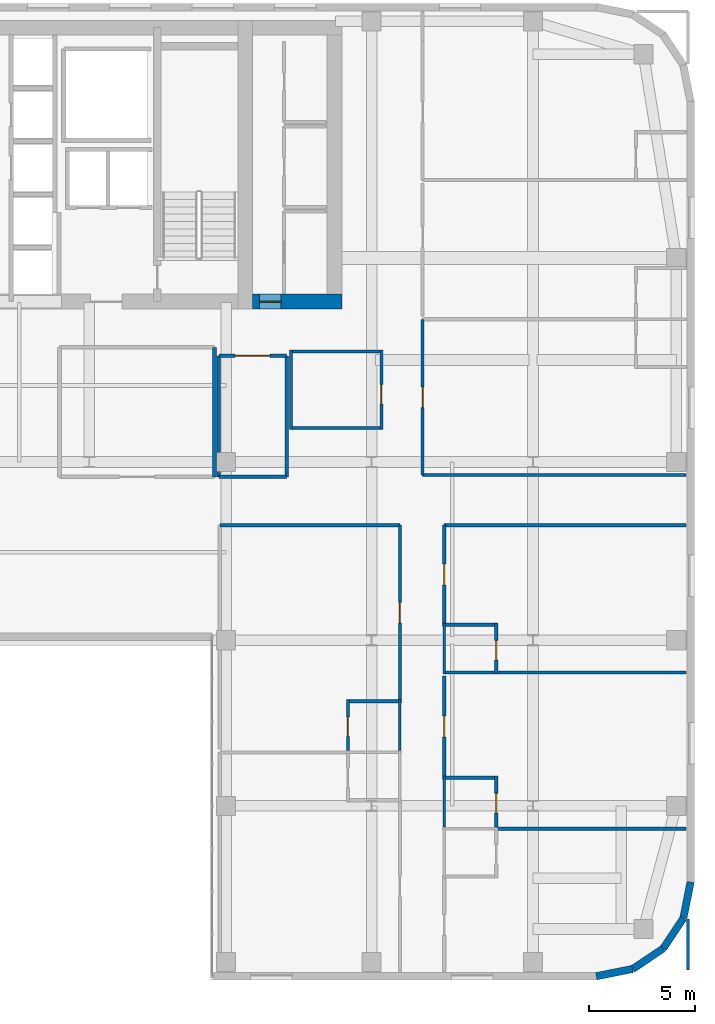
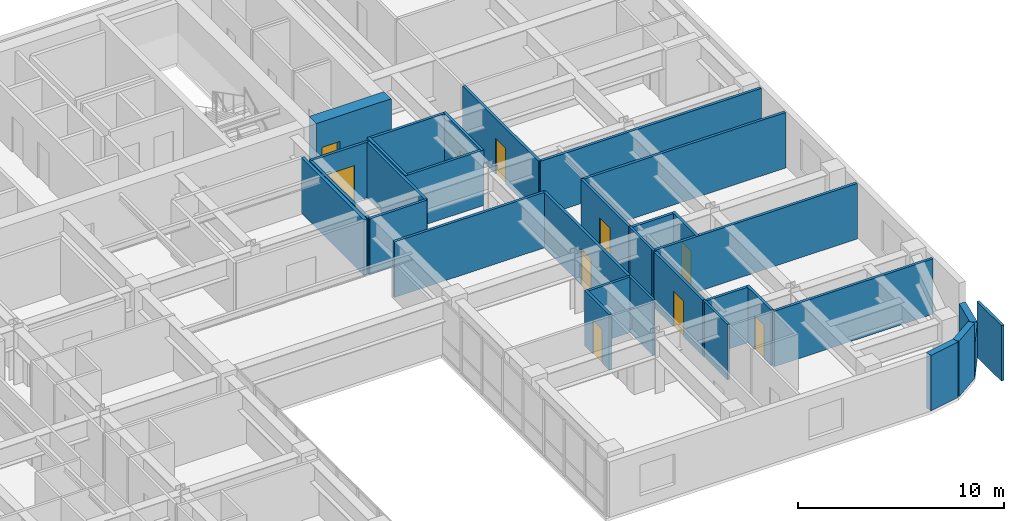
# One storey, part 11 of 15: 33 walls, 10 doors, 10 openings.
"""IFC4 building model written with IfcOpenShell, lengths in metres."""

from ifc_helpers import new_model, si_unit, direction, frame, frame_2d, origin, place, context, subcontext, project, spatial, rectangle, extrude, source, transform, mapped, material, layer, layer_set, type_object, type_shapes, element, fill, save


model = new_model("IFC4")

# Units and contexts
model_context = context("Model", 3, precision=1e-05, world=origin(), true_north=direction((0.0, 1.0)))
body_context = subcontext(model_context, "Body", "Model", "MODEL_VIEW")
ifc_project = project(units=[si_unit("LENGTHUNIT", "METRE"), si_unit("AREAUNIT", "SQUARE_METRE"), si_unit("VOLUMEUNIT", "CUBIC_METRE"), si_unit("PLANEANGLEUNIT", "RADIAN"), si_unit("MASSUNIT", "GRAM", prefix="KILO")], contexts=[model_context])

# Site, building, storey
site_placement = place(None, origin())
site = spatial("IfcSite", under=ifc_project, at=site_placement, CompositionType="ELEMENT")
building_placement = place(site_placement, origin())
building = spatial("IfcBuilding", under=site, at=building_placement, Name="Tolvann Quenvar Hotel", CompositionType="ELEMENT")
storey_placement = place(building_placement, frame((0.0, 0.0, 143.5)))
storey = spatial("IfcBuildingStorey", under=building, at=storey_placement, Name="L37", CompositionType="ELEMENT", Elevation=143.5)

# Wall, opening, door
ifc_material_1 = material(Name="Concrete S65 (65 MPa)", Category="concrete")
ifc_layer_1 = layer(ifc_material_1, 0.699951171875)
ifc_layer_set_1 = layer_set([ifc_layer_1], Name="Concrete S65 (65 MPa)")
wall_type_1 = type_object("IfcWallType", Name="WALL_CORE_700", PredefinedType="SHEAR", material=ifc_layer_set_1)
wall_1_placement = place(storey_placement, frame((36.199951171875, 31.949951171875, 0.0), z_axis=(0.0, 0.0, 1.0), x_axis=(1.0, 0.0, 0.0)))
wall_1 = element("IfcWall", 1, at=wall_1_placement, inside=storey, type_object=wall_type_1, Name="Core East Annex Shear Wall ANN-S (L37)", PredefinedType="SHEAR", context=body_context, shape_type="SweptSolid", body=[
    extrude(rectangle(XDim=4.199951171875, YDim=0.699951171875, at=frame_2d((2.10009765625, 0.0))), origin(), (0.0, 0.0, 1.0), 3.550048828125),
])
opening_1_placement = place(wall_1_placement, frame((1.340087890625, 0.0, 0.0), z_axis=(0.0, 0.0, 1.0), x_axis=(-1.0, 0.0, 0.0)))
opening_1 = element("IfcOpeningElement", 2, at=opening_1_placement, cuts=wall_1, Name="Opening HD-01", PredefinedType="OPENING", context=body_context, shape_type="SweptSolid", body=[
    extrude(rectangle(XDim=1.02001953125, YDim=2.030029296875, at=frame_2d((0.510009765625, 1.01513671875))), frame((0.0, 0.35986328125, 0.0), z_axis=(0.0, -1.0, 0.0), x_axis=(1.0, 0.0, 0.0)), (0.0, 0.0, 1.0), 0.719970703125),
])
ifc_material_2 = material(Name="Pressed galvanised steel fire-rated door set", Category="steel")
door_type_1 = type_object("IfcDoorType", Name="DOOR_BOH_1020", OperationType="NOTDEFINED", PredefinedType="DOOR", material=ifc_material_2)
shared_shape_1 = source(origin(), body_context, "Body", "SweptSolid", [
    extrude(rectangle(XDim=1.02001953125, YDim=2.030029296875, at=frame_2d((0.510009765625, 1.01513671875))), frame((0.0, 0.02490234375, 0.0), z_axis=(0.0, -1.0, 0.0), x_axis=(1.0, 0.0, 0.0)), (0.0, 0.0, 1.0), 0.050048828125),
])
type_shapes(door_type_1, [shared_shape_1])
door_1_placement = place(opening_1_placement, origin())
door_1 = element("IfcDoor", 3, at=door_1_placement, inside=storey, type_object=door_type_1, Name="Housekeeping Annex Fire Door (L37)", OperationType="SINGLE_SWING_RIGHT", OverallHeight=2.030029296875, OverallWidth=1.02001953125, PredefinedType="DOOR", context=body_context, shape_type="MappedRepresentation", body=[
    mapped(shared_shape_1, transform((0.0, 0.0, 0.0), x_axis=(1.0, 0.0, 0.0), y_axis=(0.0, 1.0, 0.0), z_axis=(0.0, 0.0, 1.0), scale=1.0)),
])
fill(opening_1, door_1)

# Walls
ifc_material_3 = material(Name="Kiln-fired red and buff architectural clay brickwork and terracotta masonry", Category="masonry")
ifc_layer_2 = layer(ifc_material_3, 0.35009765625)
ifc_layer_set_2 = layer_set([ifc_layer_2], Name="Kiln-fired red and buff architectural clay brickwork and terracotta masonry")
wall_type_2 = type_object("IfcWallType", Name="WALL_EXT_BRICK_350", PredefinedType="SOLIDWALL", material=ifc_layer_set_2)
wall_2_placement = place(storey_placement, frame((52.3828125, 0.175048828125, 0.0), z_axis=(0.0, 0.0, 1.0), x_axis=(0.980800971659, 0.195011420161, 0.0)))
element("IfcWall", 4, at=wall_2_placement, inside=storey, type_object=wall_type_2, Name="Exterior Chicago Brick Wall L37-E09", PredefinedType="SOLIDWALL", context=body_context, shape_type="SweptSolid", body=[
    extrude(rectangle(XDim=1.74267578125, YDim=0.35009765625, at=frame_2d((0.871337890625, 0.0))), origin(), (0.0, 0.0, 1.0), 3.2900390625),
])
wall_3_placement = place(storey_placement, frame((54.092041015625, 0.514892578125, 0.0), z_axis=(0.0, 0.0, 1.0), x_axis=(0.831483840845, 0.55554893791, 0.0)))
element("IfcWall", 5, at=wall_3_placement, inside=storey, type_object=wall_type_2, Name="Exterior Chicago Brick Wall L37-E10", PredefinedType="SOLIDWALL", context=body_context, shape_type="SweptSolid", body=[
    extrude(rectangle(XDim=1.725341796875, YDim=0.35009765625, at=frame_2d((0.86279296875, 0.0))), origin(), (0.0, 0.0, 1.0), 3.2900390625),
])
wall_4_placement = place(storey_placement, frame((55.526611328125, 1.473388671875, 0.0), z_axis=(0.0, 0.0, 1.0), x_axis=(0.55554893791, 0.831483840845, 0.0)))
element("IfcWall", 6, at=wall_4_placement, inside=storey, type_object=wall_type_2, Name="Exterior Chicago Brick Wall L37-E11", PredefinedType="SOLIDWALL", context=body_context, shape_type="SweptSolid", body=[
    extrude(rectangle(XDim=1.725341796875, YDim=0.35009765625, at=frame_2d((0.86279296875, 0.0))), origin(), (0.0, 0.0, 1.0), 2.080078125),
])
wall_5_placement = place(storey_placement, frame((56.485107421875, 2.907958984375, 0.0), z_axis=(0.0, 0.0, 1.0), x_axis=(0.195011420161, 0.980800971659, 0.0)))
element("IfcWall", 7, at=wall_5_placement, inside=storey, type_object=wall_type_2, Name="Exterior Chicago Brick Wall L37-E12", PredefinedType="SOLIDWALL", context=body_context, shape_type="SweptSolid", body=[
    extrude(rectangle(XDim=1.74267578125, YDim=0.35009765625, at=frame_2d((0.871337890625, 0.0))), origin(), (0.0, 0.0, 1.0), 2.080078125),
])
ifc_material_4 = material(Name="Acoustic twin-stud fire-rated gypsum plasterboard partition")
ifc_layer_3 = layer(ifc_material_4, 0.179931640625)
ifc_layer_set_3 = layer_set([ifc_layer_3], Name="Acoustic twin-stud fire-rated gypsum plasterboard partition")
wall_type_3 = type_object("IfcWallType", Name="WALL_PART_ACOUSTIC_180", PredefinedType="PARTITIONING", material=ifc_layer_set_3)
wall_6_placement = place(storey_placement, frame((34.39990234375, 23.699951171875, 0.0), z_axis=(0.0, 0.0, 1.0), x_axis=(0.0, 1.0, 0.0)))
element("IfcWall", 8, at=wall_6_placement, inside=storey, type_object=wall_type_3, Name="Interior Partition PT-SPC-L37-MSP-C-E", PredefinedType="PARTITIONING", context=body_context, shape_type="SweptSolid", body=[
    extrude(rectangle(XDim=6.10009765625, YDim=0.179931640625, at=frame_2d((3.050048828125, 0.0))), origin(), (0.0, 0.0, 1.0), 3.2900390625),
])
ifc_material_5 = material(Name="Moisture-resistant acoustic plumbing wall assembly")
ifc_layer_4 = layer(ifc_material_5, 0.1201171875)
ifc_layer_set_4 = layer_set([ifc_layer_4], Name="Moisture-resistant acoustic plumbing wall assembly")
wall_type_4 = type_object("IfcWallType", Name="WALL_PART_BATH_120", PredefinedType="PLUMBINGWALL", material=ifc_layer_set_4)
wall_7_placement = place(storey_placement, frame((43.1298828125, 10.81005859375, 0.0), z_axis=(0.0, 0.0, 1.0), x_axis=(0.0, 1.0, 0.0)))
element("IfcWall", 9, at=wall_7_placement, inside=storey, type_object=wall_type_4, Name="Non-Rated Plumbing Partition PT-SPC-L37-ENS-EI02-E", PredefinedType="PLUMBINGWALL", context=body_context, shape_type="SweptSolid", body=[
    extrude(rectangle(XDim=2.389892578125, YDim=0.1201171875, at=frame_2d((1.19482421875, 0.0))), origin(), (0.0, 0.0, 1.0), 3.2900390625),
])
for number, where, z_axis, x_axis, name in (
    (10, (45.219970703125, 7.2099609375, 0.0), (0.0, 0.0, 1.0), (0.0, 1.0, 0.0), "Non-Rated Plumbing Partition PT-SPC-L37-ENS-EO02-W"),
    (11, (45.219970703125, 14.409912109375, 0.0), (0.0, 0.0, 1.0), (0.0, 1.0, 0.0), "Non-Rated Plumbing Partition PT-SPC-L37-ENS-EO03-W"),
):
    element("IfcWall", number, at=place(storey_placement, frame(where, z_axis=z_axis, x_axis=x_axis)), inside=storey, type_object=wall_type_4, Name=name, PredefinedType="PLUMBINGWALL", context=body_context, shape_type="SweptSolid", body=[
        extrude(rectangle(XDim=2.39013671875, YDim=0.1201171875, at=frame_2d((1.195068359375, 0.0))), origin(), (0.0, 0.0, 1.0), 3.2900390625),
    ])

# Wall, opening, door
ifc_layer_5 = layer(ifc_material_4, 0.14990234375)
ifc_layer_set_5 = layer_set([ifc_layer_5], Name="Acoustic twin-stud fire-rated gypsum plasterboard partition")
wall_type_5 = type_object("IfcWallType", Name="WALL_PART_SUITE_150", PredefinedType="PARTITIONING", material=ifc_layer_set_5)
wall_8_placement = place(storey_placement, frame((40.679931640625, 10.81005859375, 0.0), z_axis=(0.0, 0.0, 1.0), x_axis=(0.0, 1.0, 0.0)))
wall_8 = element("IfcWall", 12, at=wall_8_placement, inside=storey, type_object=wall_type_5, Name="Interior Partition PT-SPC-L37-ENS-EI02-ENT", PredefinedType="PARTITIONING", context=body_context, shape_type="SweptSolid", body=[
    extrude(rectangle(XDim=2.389892578125, YDim=0.14990234375, at=frame_2d((1.19482421875, 0.0))), origin(), (0.0, 0.0, 1.0), 3.2900390625),
])
opening_2_placement = place(wall_8_placement, frame((0.6650390625, 0.0, 0.0)))
opening_2 = element("IfcOpeningElement", 13, at=opening_2_placement, cuts=wall_8, Name="Opening WD-01", PredefinedType="OPENING", context=body_context, shape_type="SweptSolid", body=[
    extrude(rectangle(XDim=0.919921875, YDim=2.010009765625, at=frame_2d((0.4599609375, 1.0048828125))), frame((0.0, 0.0849609375, 0.0), z_axis=(0.0, -1.0, 0.0), x_axis=(1.0, 0.0, 0.0)), (0.0, 0.0, 1.0), 0.169921875),
])
ifc_material_6 = material(Name="Solid-core American oak acoustic fire door leaf in steel frame", Category="steel")
door_type_2 = type_object("IfcDoorType", Name="DOOR_WC_920", OperationType="NOTDEFINED", PredefinedType="DOOR", material=ifc_material_6)
shared_shape_2 = source(origin(), body_context, "Body", "SweptSolid", [
    extrude(rectangle(XDim=0.919921875, YDim=2.010009765625, at=frame_2d((0.4599609375, 1.0048828125))), frame((0.0, 0.02490234375, 0.0), z_axis=(0.0, -1.0, 0.0), x_axis=(1.0, 0.0, 0.0)), (0.0, 0.0, 1.0), 0.050048828125),
])
type_shapes(door_type_2, [shared_shape_2])
door_2_placement = place(opening_2_placement, origin())
door_2 = element("IfcDoor", 14, at=door_2_placement, inside=storey, type_object=door_type_2, Name="Interior Door DOOR-SPC-L37-ENS-EI02", OperationType="SINGLE_SWING_LEFT", OverallHeight=2.010009765625, OverallWidth=0.919921875, PredefinedType="DOOR", context=body_context, shape_type="MappedRepresentation", body=[
    mapped(shared_shape_2, transform((0.0, 0.0, 0.0), x_axis=(1.0, 0.0, 0.0), y_axis=(0.0, 1.0, 0.0), z_axis=(0.0, 0.0, 1.0), scale=1.0)),
])
fill(opening_2, door_2)

# Wall
wall_9_placement = place(storey_placement, frame((40.610107421875, 13.1298828125, 0.0), z_axis=(0.0, 0.0, 1.0), x_axis=(1.0, 0.0, 0.0)))
element("IfcWall", 15, at=wall_9_placement, inside=storey, type_object=wall_type_5, Name="Interior Partition PT-SPC-L37-ENS-EI02-N", PredefinedType="PARTITIONING", context=body_context, shape_type="SweptSolid", body=[
    extrude(rectangle(XDim=2.58984375, YDim=0.14990234375, at=frame_2d((1.294921875, 0.0))), origin(), (0.0, 0.0, 1.0), 3.2900390625),
])

# Wall, opening, door
wall_10_placement = place(storey_placement, frame((47.669921875, 7.2099609375, 0.0), z_axis=(0.0, 0.0, 1.0), x_axis=(0.0, 1.0, 0.0)))
wall_10 = element("IfcWall", 16, at=wall_10_placement, inside=storey, type_object=wall_type_5, Name="Interior Partition PT-SPC-L37-ENS-EO02-ENT", PredefinedType="PARTITIONING", context=body_context, shape_type="SweptSolid", body=[
    extrude(rectangle(XDim=2.39013671875, YDim=0.14990234375, at=frame_2d((1.195068359375, 0.0))), origin(), (0.0, 0.0, 1.0), 3.2900390625),
])
opening_3_placement = place(wall_10_placement, frame((0.6650390625, 0.0, 0.0)))
opening_3 = element("IfcOpeningElement", 17, at=opening_3_placement, cuts=wall_10, Name="Opening WD-01", PredefinedType="OPENING", context=body_context, shape_type="SweptSolid", body=[
    extrude(rectangle(XDim=0.919921875, YDim=2.010009765625, at=frame_2d((0.4599609375, 1.0048828125))), frame((0.0, 0.0849609375, 0.0), z_axis=(0.0, -1.0, 0.0), x_axis=(1.0, 0.0, 0.0)), (0.0, 0.0, 1.0), 0.169921875),
])
door_3_placement = place(opening_3_placement, origin())
door_3 = element("IfcDoor", 18, at=door_3_placement, inside=storey, type_object=door_type_2, Name="Interior Door DOOR-SPC-L37-ENS-EO02", OperationType="SINGLE_SWING_LEFT", OverallHeight=2.010009765625, OverallWidth=0.919921875, PredefinedType="DOOR", context=body_context, shape_type="MappedRepresentation", body=[
    mapped(shared_shape_2, transform((0.0, 0.0, 0.0), x_axis=(1.0, 0.0, 0.0), y_axis=(0.0, 1.0, 0.0), z_axis=(0.0, 0.0, 1.0), scale=1.0)),
])
fill(opening_3, door_3)

# Wall
wall_11_placement = place(storey_placement, frame((45.14990234375, 9.530029296875, 0.0), z_axis=(0.0, 0.0, 1.0), x_axis=(1.0, 0.0, 0.0)))
element("IfcWall", 19, at=wall_11_placement, inside=storey, type_object=wall_type_5, Name="Interior Partition PT-SPC-L37-ENS-EO02-N", PredefinedType="PARTITIONING", context=body_context, shape_type="SweptSolid", body=[
    extrude(rectangle(XDim=2.590087890625, YDim=0.14990234375, at=frame_2d((1.294921875, 0.0))), origin(), (0.0, 0.0, 1.0), 3.2900390625),
])

# Wall, opening, door
wall_12_placement = place(storey_placement, frame((47.669921875, 14.409912109375, 0.0), z_axis=(0.0, 0.0, 1.0), x_axis=(0.0, 1.0, 0.0)))
wall_12 = element("IfcWall", 20, at=wall_12_placement, inside=storey, type_object=wall_type_5, Name="Interior Partition PT-SPC-L37-ENS-EO03-ENT", PredefinedType="PARTITIONING", context=body_context, shape_type="SweptSolid", body=[
    extrude(rectangle(XDim=2.39013671875, YDim=0.14990234375, at=frame_2d((1.195068359375, 0.0))), origin(), (0.0, 0.0, 1.0), 3.2900390625),
])
opening_4_placement = place(wall_12_placement, frame((0.6650390625, 0.0, 0.0)))
opening_4 = element("IfcOpeningElement", 21, at=opening_4_placement, cuts=wall_12, Name="Opening WD-01", PredefinedType="OPENING", context=body_context, shape_type="SweptSolid", body=[
    extrude(rectangle(XDim=0.919921875, YDim=2.010009765625, at=frame_2d((0.4599609375, 1.0048828125))), frame((0.0, 0.0849609375, 0.0), z_axis=(0.0, -1.0, 0.0), x_axis=(1.0, 0.0, 0.0)), (0.0, 0.0, 1.0), 0.169921875),
])
door_4_placement = place(opening_4_placement, origin())
door_4 = element("IfcDoor", 22, at=door_4_placement, inside=storey, type_object=door_type_2, Name="Interior Door DOOR-SPC-L37-ENS-EO03", OperationType="SINGLE_SWING_RIGHT", OverallHeight=2.010009765625, OverallWidth=0.919921875, PredefinedType="DOOR", context=body_context, shape_type="MappedRepresentation", body=[
    mapped(shared_shape_2, transform((0.0, 0.0, 0.0), x_axis=(1.0, 0.0, 0.0), y_axis=(0.0, 1.0, 0.0), z_axis=(0.0, 0.0, 1.0), scale=1.0)),
])
fill(opening_4, door_4)

# Walls
wall_13_placement = place(storey_placement, frame((45.14990234375, 14.47998046875, 0.0), z_axis=(0.0, 0.0, 1.0), x_axis=(1.0, 0.0, 0.0)))
element("IfcWall", 23, at=wall_13_placement, inside=storey, type_object=wall_type_5, Name="Interior Partition PT-SPC-L37-ENS-EO03-S", PredefinedType="PARTITIONING", context=body_context, shape_type="SweptSolid", body=[
    extrude(rectangle(XDim=11.445068359375, YDim=0.14990234375, at=frame_2d((5.72265625, 0.0))), origin(), (0.0, 0.0, 1.0), 3.2900390625),
])
wall_14_placement = place(storey_placement, frame((45.14990234375, 16.72998046875, 0.0), z_axis=(0.0, 0.0, 1.0), x_axis=(1.0, 0.0, 0.0)))
element("IfcWall", 24, at=wall_14_placement, inside=storey, type_object=wall_type_5, Name="Interior Partition PT-SPC-L37-ENS-EO03-N", PredefinedType="PARTITIONING", context=body_context, shape_type="SweptSolid", body=[
    extrude(rectangle(XDim=2.590087890625, YDim=0.14990234375, at=frame_2d((1.294921875, 0.0))), origin(), (0.0, 0.0, 1.0), 3.2900390625),
])

# Wall, opening, door
wall_15_placement = place(storey_placement, frame((43.1298828125, 13.2099609375, 0.0), z_axis=(0.0, 0.0, 1.0), x_axis=(0.0, 1.0, 0.0)))
wall_15 = element("IfcWall", 25, at=wall_15_placement, inside=storey, type_object=wall_type_5, Name="Interior Partition PT-SPC-L37-RM-EI02-ENT", PredefinedType="PARTITIONING", context=body_context, shape_type="SweptSolid", body=[
    extrude(rectangle(XDim=8.2099609375, YDim=0.14990234375, at=frame_2d((4.10498046875, 0.0))), origin(), (0.0, 0.0, 1.0), 3.2900390625),
])
opening_5_placement = place(wall_15_placement, frame((3.594970703125, 0.0, 0.0)))
opening_5 = element("IfcOpeningElement", 26, at=opening_5_placement, cuts=wall_15, Name="Opening SD-01", PredefinedType="OPENING", context=body_context, shape_type="SweptSolid", body=[
    extrude(rectangle(XDim=0.97998046875, YDim=2.1201171875, at=frame_2d((0.489990234375, 1.06005859375))), frame((0.0, 0.0849609375, 0.0), z_axis=(0.0, -1.0, 0.0), x_axis=(1.0, 0.0, 0.0)), (0.0, 0.0, 1.0), 0.169921875),
])
door_type_3 = type_object("IfcDoorType", Name="DOOR_SUITE_980", OperationType="NOTDEFINED", PredefinedType="DOOR", material=ifc_material_6)
shared_shape_3 = source(origin(), body_context, "Body", "SweptSolid", [
    extrude(rectangle(XDim=0.97998046875, YDim=2.1201171875, at=frame_2d((0.489990234375, 1.06005859375))), frame((0.0, 0.02490234375, 0.0), z_axis=(0.0, -1.0, 0.0), x_axis=(1.0, 0.0, 0.0)), (0.0, 0.0, 1.0), 0.050048828125),
])
type_shapes(door_type_3, [shared_shape_3])
door_5_placement = place(opening_5_placement, origin())
door_5 = element("IfcDoor", 27, at=door_5_placement, inside=storey, type_object=door_type_3, Name="Interior Door DOOR-SPC-L37-RM-EI02", OperationType="SINGLE_SWING_LEFT", OverallHeight=2.1201171875, OverallWidth=0.97998046875, PredefinedType="DOOR", context=body_context, shape_type="MappedRepresentation", body=[
    mapped(shared_shape_3, transform((0.0, 0.0, 0.0), x_axis=(1.0, 0.0, 0.0), y_axis=(0.0, 1.0, 0.0), z_axis=(0.0, 0.0, 1.0), scale=1.0)),
])
fill(opening_5, door_5)

# Walls
wall_16_placement = place(storey_placement, frame((34.64990234375, 21.419921875, 0.0), z_axis=(0.0, 0.0, 1.0), x_axis=(1.0, 0.0, 0.0)))
element("IfcWall", 28, at=wall_16_placement, inside=storey, type_object=wall_type_5, Name="Interior Partition PT-SPC-L37-RM-EI02-E5", PredefinedType="PARTITIONING", context=body_context, shape_type="SweptSolid", body=[
    extrude(rectangle(XDim=8.47998046875, YDim=0.14990234375, at=frame_2d((4.239990234375, 0.0))), origin(), (0.0, 0.0, 1.0), 3.2900390625),
])
wall_17_placement = place(storey_placement, frame((56.699951171875, 0.47998046875, 0.0), z_axis=(0.0, 0.0, 1.0), x_axis=(0.0, 1.0, 0.0)))
element("IfcWall", 29, at=wall_17_placement, inside=storey, type_object=wall_type_5, Name="Interior Partition PT-SPC-L37-RM-EO01-E2", PredefinedType="PARTITIONING", context=body_context, shape_type="SweptSolid", body=[
    extrude(rectangle(XDim=2.385009765625, YDim=0.14990234375, at=frame_2d((1.1923828125, 0.0))), origin(), (0.0, 0.0, 1.0), 3.2900390625),
])
wall_18_placement = place(storey_placement, frame((47.68994140625, 7.1201171875, 0.0), z_axis=(0.0, 0.0, 1.0), x_axis=(1.0, 0.0, 0.0)))
element("IfcWall", 30, at=wall_18_placement, inside=storey, type_object=wall_type_5, Name="Interior Partition PT-SPC-L37-RM-EO01-E3", PredefinedType="PARTITIONING", context=body_context, shape_type="SweptSolid", body=[
    extrude(rectangle(XDim=8.905029296875, YDim=0.14990234375, at=frame_2d((4.45263671875, 0.0))), origin(), (0.0, 0.0, 1.0), 3.2900390625),
])

# Wall, opening, door
wall_19_placement = place(storey_placement, frame((45.219970703125, 9.610107421875, 0.0), z_axis=(0.0, 0.0, 1.0), x_axis=(0.0, 1.0, 0.0)))
wall_19 = element("IfcWall", 31, at=wall_19_placement, inside=storey, type_object=wall_type_5, Name="Interior Partition PT-SPC-L37-RM-EO02-ENT", PredefinedType="PARTITIONING", context=body_context, shape_type="SweptSolid", body=[
    extrude(rectangle(XDim=4.7099609375, YDim=0.14990234375, at=frame_2d((2.35498046875, 0.0))), origin(), (0.0, 0.0, 1.0), 3.2900390625),
])
opening_6_placement = place(wall_19_placement, frame((1.844970703125, 0.0, 0.0)))
opening_6 = element("IfcOpeningElement", 32, at=opening_6_placement, cuts=wall_19, Name="Opening SD-01", PredefinedType="OPENING", context=body_context, shape_type="SweptSolid", body=[
    extrude(rectangle(XDim=0.97998046875, YDim=2.1201171875, at=frame_2d((0.489990234375, 1.06005859375))), frame((0.0, 0.0849609375, 0.0), z_axis=(0.0, -1.0, 0.0), x_axis=(1.0, 0.0, 0.0)), (0.0, 0.0, 1.0), 0.169921875),
])
door_6_placement = place(opening_6_placement, origin())
door_6 = element("IfcDoor", 33, at=door_6_placement, inside=storey, type_object=door_type_3, Name="Interior Door DOOR-SPC-L37-RM-EO02", OperationType="SINGLE_SWING_LEFT", OverallHeight=2.1201171875, OverallWidth=0.97998046875, PredefinedType="DOOR", context=body_context, shape_type="MappedRepresentation", body=[
    mapped(shared_shape_3, transform((0.0, 0.0, 0.0), x_axis=(1.0, 0.0, 0.0), y_axis=(0.0, 1.0, 0.0), z_axis=(0.0, 0.0, 1.0), scale=1.0)),
])
fill(opening_6, door_6)

wall_20_placement = place(storey_placement, frame((45.219970703125, 16.81005859375, 0.0), z_axis=(0.0, 0.0, 1.0), x_axis=(0.0, 1.0, 0.0)))
wall_20 = element("IfcWall", 34, at=wall_20_placement, inside=storey, type_object=wall_type_5, Name="Interior Partition PT-SPC-L37-RM-EO03-ENT", PredefinedType="PARTITIONING", context=body_context, shape_type="SweptSolid", body=[
    extrude(rectangle(XDim=4.60986328125, YDim=0.14990234375, at=frame_2d((2.304931640625, 0.0))), origin(), (0.0, 0.0, 1.0), 3.2900390625),
])
opening_7_placement = place(wall_20_placement, frame((1.794921875, 0.0, 0.0)))
opening_7 = element("IfcOpeningElement", 35, at=opening_7_placement, cuts=wall_20, Name="Opening SD-01", PredefinedType="OPENING", context=body_context, shape_type="SweptSolid", body=[
    extrude(rectangle(XDim=0.97998046875, YDim=2.1201171875, at=frame_2d((0.489990234375, 1.06005859375))), frame((0.0, 0.0849609375, 0.0), z_axis=(0.0, -1.0, 0.0), x_axis=(1.0, 0.0, 0.0)), (0.0, 0.0, 1.0), 0.169921875),
])
door_7_placement = place(opening_7_placement, origin())
door_7 = element("IfcDoor", 36, at=door_7_placement, inside=storey, type_object=door_type_3, Name="Interior Door DOOR-SPC-L37-RM-EO03", OperationType="SINGLE_SWING_RIGHT", OverallHeight=2.1201171875, OverallWidth=0.97998046875, PredefinedType="DOOR", context=body_context, shape_type="MappedRepresentation", body=[
    mapped(shared_shape_3, transform((0.0, 0.0, 0.0), x_axis=(1.0, 0.0, 0.0), y_axis=(0.0, 1.0, 0.0), z_axis=(0.0, 0.0, 1.0), scale=1.0)),
])
fill(opening_7, door_7)

# Wall
wall_21_placement = place(storey_placement, frame((45.219970703125, 21.419921875, 0.0), z_axis=(0.0, 0.0, 1.0), x_axis=(1.0, 0.0, 0.0)))
element("IfcWall", 37, at=wall_21_placement, inside=storey, type_object=wall_type_5, Name="Interior Partition PT-SPC-L37-RM-EO03-E5", PredefinedType="PARTITIONING", context=body_context, shape_type="SweptSolid", body=[
    extrude(rectangle(XDim=11.375, YDim=0.14990234375, at=frame_2d((5.6875, 0.0))), origin(), (0.0, 0.0, 1.0), 3.2900390625),
])

# Wall, opening, door
wall_22_placement = place(storey_placement, frame((44.199951171875, 23.780029296875, 0.0), z_axis=(0.0, 0.0, 1.0), x_axis=(0.0, 1.0, 0.0)))
wall_22 = element("IfcWall", 38, at=wall_22_placement, inside=storey, type_object=wall_type_5, Name="Interior Partition PT-SPC-L37-RM-NE01-ENT", PredefinedType="PARTITIONING", context=body_context, shape_type="SweptSolid", body=[
    extrude(rectangle(XDim=7.340087890625, YDim=0.14990234375, at=frame_2d((3.669921875, 0.0))), origin(), (0.0, 0.0, 1.0), 3.2900390625),
])
opening_8_placement = place(wall_22_placement, frame((3.179931640625, 0.0, 0.0)))
opening_8 = element("IfcOpeningElement", 39, at=opening_8_placement, cuts=wall_22, Name="Opening SD-01", PredefinedType="OPENING", context=body_context, shape_type="SweptSolid", body=[
    extrude(rectangle(XDim=0.97998046875, YDim=2.1201171875, at=frame_2d((0.489990234375, 1.06005859375))), frame((0.0, 0.0849609375, 0.0), z_axis=(0.0, -1.0, 0.0), x_axis=(1.0, 0.0, 0.0)), (0.0, 0.0, 1.0), 0.169921875),
])
door_8_placement = place(opening_8_placement, origin())
door_8 = element("IfcDoor", 40, at=door_8_placement, inside=storey, type_object=door_type_3, Name="Interior Door DOOR-SPC-L37-RM-NE01", OperationType="SINGLE_SWING_LEFT", OverallHeight=2.1201171875, OverallWidth=0.97998046875, PredefinedType="DOOR", context=body_context, shape_type="MappedRepresentation", body=[
    mapped(shared_shape_3, transform((0.0, 0.0, 0.0), x_axis=(1.0, 0.0, 0.0), y_axis=(0.0, 1.0, 0.0), z_axis=(0.0, 0.0, 1.0), scale=1.0)),
])
fill(opening_8, door_8)

# Wall
wall_23_placement = place(storey_placement, frame((44.199951171875, 23.780029296875, 0.0), z_axis=(0.0, 0.0, 1.0), x_axis=(1.0, 0.0, 0.0)))
element("IfcWall", 41, at=wall_23_placement, inside=storey, type_object=wall_type_5, Name="Interior Partition PT-SPC-L37-RM-NE01-E1", PredefinedType="PARTITIONING", context=body_context, shape_type="SweptSolid", body=[
    extrude(rectangle(XDim=12.39501953125, YDim=0.14990234375, at=frame_2d((6.197509765625, 0.0))), origin(), (0.0, 0.0, 1.0), 3.2900390625),
])

# Wall, opening, door
wall_24_placement = place(storey_placement, frame((42.260009765625, 25.929931640625, 0.0), z_axis=(0.0, 0.0, 1.0), x_axis=(0.0, 1.0, 0.0)))
wall_24 = element("IfcWall", 42, at=wall_24_placement, inside=storey, type_object=wall_type_5, Name="Interior Partition PT-SPC-L37-WCA-ENT", PredefinedType="PARTITIONING", context=body_context, shape_type="SweptSolid", body=[
    extrude(rectangle(XDim=3.739990234375, YDim=0.14990234375, at=frame_2d((1.8701171875, 0.0))), origin(), (0.0, 0.0, 1.0), 3.2900390625),
])
opening_9_placement = place(wall_24_placement, frame((1.18994140625, 0.0, 0.0)))
opening_9 = element("IfcOpeningElement", 43, at=opening_9_placement, cuts=wall_24, Name="Opening WD-01", PredefinedType="OPENING", context=body_context, shape_type="SweptSolid", body=[
    extrude(rectangle(XDim=0.919921875, YDim=2.010009765625, at=frame_2d((0.4599609375, 1.0048828125))), frame((0.0, 0.0849609375, 0.0), z_axis=(0.0, -1.0, 0.0), x_axis=(1.0, 0.0, 0.0)), (0.0, 0.0, 1.0), 0.169921875),
])
door_9_placement = place(opening_9_placement, origin())
door_9 = element("IfcDoor", 44, at=door_9_placement, inside=storey, type_object=door_type_2, Name="Interior Door DOOR-SPC-L37-WCA", OperationType="SINGLE_SWING_RIGHT", OverallHeight=2.010009765625, OverallWidth=0.919921875, PredefinedType="DOOR", context=body_context, shape_type="MappedRepresentation", body=[
    mapped(shared_shape_2, transform((0.0, 0.0, 0.0), x_axis=(1.0, 0.0, 0.0), y_axis=(0.0, 1.0, 0.0), z_axis=(0.0, 0.0, 1.0), scale=1.0)),
])
fill(opening_9, door_9)

# Walls
for number, where, z_axis, x_axis, name in (
    (45, (37.929931640625, 26.0, 0.0), (0.0, 0.0, 1.0), (1.0, 0.0, 0.0), "Interior Partition PT-SPC-L37-WCA-S"),
    (46, (37.929931640625, 29.60009765625, 0.0), (0.0, 0.0, 1.0), (1.0, 0.0, 0.0), "Interior Partition PT-SPC-L37-WCA-N"),
):
    element("IfcWall", number, at=place(storey_placement, frame(where, z_axis=z_axis, x_axis=x_axis)), inside=storey, type_object=wall_type_5, Name=name, PredefinedType="PARTITIONING", context=body_context, shape_type="SweptSolid", body=[
        extrude(rectangle(XDim=4.400146484375, YDim=0.14990234375, at=frame_2d((2.2001953125, 0.0))), origin(), (0.0, 0.0, 1.0), 3.2900390625),
    ])
wall_25_placement = place(storey_placement, frame((38.0, 25.929931640625, 0.0), z_axis=(0.0, 0.0, 1.0), x_axis=(0.0, 1.0, 0.0)))
element("IfcWall", 47, at=wall_25_placement, inside=storey, type_object=wall_type_5, Name="Interior Partition PT-SPC-L37-WCA-W", PredefinedType="PARTITIONING", context=body_context, shape_type="SweptSolid", body=[
    extrude(rectangle(XDim=3.739990234375, YDim=0.14990234375, at=frame_2d((1.8701171875, 0.0))), origin(), (0.0, 0.0, 1.0), 3.2900390625),
])
wall_26_placement = place(storey_placement, frame((34.60009765625, 23.699951171875, 0.0), z_axis=(0.0, 0.0, 1.0), x_axis=(1.0, 0.0, 0.0)))
element("IfcWall", 48, at=wall_26_placement, inside=storey, type_object=wall_type_5, Name="Interior Partition PT-SPC-L37-MSP-E-S", PredefinedType="PARTITIONING", context=body_context, shape_type="SweptSolid", body=[
    extrude(rectangle(XDim=3.199951171875, YDim=0.14990234375, at=frame_2d((1.60009765625, 0.0))), origin(), (0.0, 0.0, 1.0), 3.2900390625),
])

# Wall, opening, door
wall_27_placement = place(storey_placement, frame((34.60009765625, 29.39990234375, 0.0), z_axis=(0.0, 0.0, 1.0), x_axis=(1.0, 0.0, 0.0)))
wall_27 = element("IfcWall", 49, at=wall_27_placement, inside=storey, type_object=wall_type_5, Name="Interior Partition PT-SPC-L37-MSP-E-N", PredefinedType="PARTITIONING", context=body_context, shape_type="SweptSolid", body=[
    extrude(rectangle(XDim=3.199951171875, YDim=0.14990234375, at=frame_2d((1.60009765625, 0.0))), origin(), (0.0, 0.0, 1.0), 3.2900390625),
])
opening_10_placement = place(wall_27_placement, frame((0.77490234375, 0.0, 0.0)))
opening_10 = element("IfcOpeningElement", 50, at=opening_10_placement, cuts=wall_27, Name="Opening AD-01", PredefinedType="OPENING", context=body_context, shape_type="SweptSolid", body=[
    extrude(rectangle(XDim=1.64990234375, YDim=2.14990234375, at=frame_2d((0.824951171875, 1.074951171875))), frame((0.0, 0.0849609375, 0.0), z_axis=(0.0, -1.0, 0.0), x_axis=(1.0, 0.0, 0.0)), (0.0, 0.0, 1.0), 0.169921875),
])
door_type_4 = type_object("IfcDoorType", Name="DOOR_SALON_1650", OperationType="NOTDEFINED", PredefinedType="DOOR", material=ifc_material_6)
shared_shape_4 = source(origin(), body_context, "Body", "SweptSolid", [
    extrude(rectangle(XDim=1.64990234375, YDim=2.14990234375, at=frame_2d((0.824951171875, 1.074951171875))), frame((0.0, 0.02490234375, 0.0), z_axis=(0.0, -1.0, 0.0), x_axis=(1.0, 0.0, 0.0)), (0.0, 0.0, 1.0), 0.050048828125),
])
type_shapes(door_type_4, [shared_shape_4])
door_10_placement = place(opening_10_placement, origin())
door_10 = element("IfcDoor", 51, at=door_10_placement, inside=storey, type_object=door_type_4, Name="Interior Door DOOR-SPC-L37-MSP-E", OperationType="DOUBLE_DOOR_SINGLE_SWING", OverallHeight=2.14990234375, OverallWidth=1.64990234375, PredefinedType="DOOR", context=body_context, shape_type="MappedRepresentation", body=[
    mapped(shared_shape_4, transform((0.0, 0.0, 0.0), x_axis=(1.0, 0.0, 0.0), y_axis=(0.0, 1.0, 0.0), z_axis=(0.0, 0.0, 1.0), scale=1.0)),
])
fill(opening_10, door_10)

# Walls
for number, where, z_axis, x_axis, name in (
    (52, (34.60009765625, 23.699951171875, 0.0), (0.0, 0.0, 1.0), (0.0, 1.0, 0.0), "Interior Partition PT-SPC-L37-MSP-E-W"),
    (53, (37.800048828125, 23.699951171875, 0.0), (0.0, 0.0, 1.0), (0.0, 1.0, 0.0), "Interior Partition PT-SPC-L37-MSP-E-E"),
):
    element("IfcWall", number, at=place(storey_placement, frame(where, z_axis=z_axis, x_axis=x_axis)), inside=storey, type_object=wall_type_5, Name=name, PredefinedType="PARTITIONING", context=body_context, shape_type="SweptSolid", body=[
        extrude(rectangle(XDim=5.699951171875, YDim=0.14990234375, at=frame_2d((2.85009765625, 0.0))), origin(), (0.0, 0.0, 1.0), 3.2900390625),
    ])

save(model, "model.ifc")
